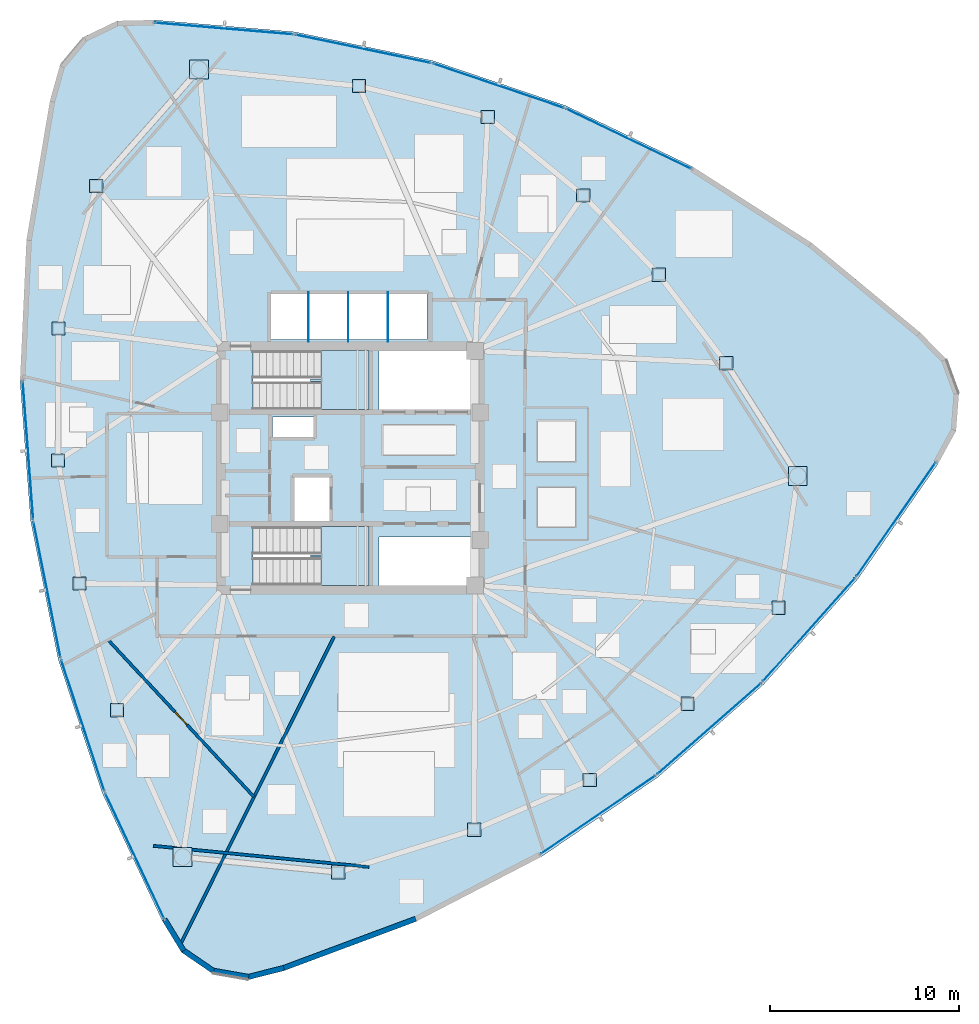
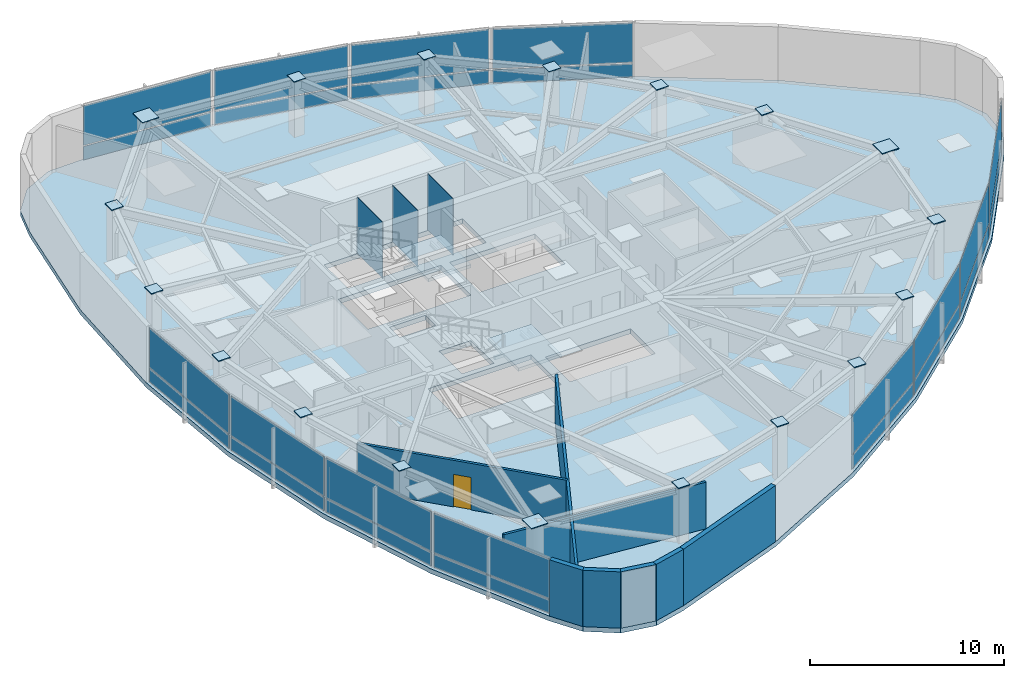
# One storey, part 10 of 17: 45 plates, 8 walls, 3 slabs, 1 door, 1 opening, 14 elements without a shape of their own.
"""IFC4 building model written with IfcOpenShell, lengths in metres."""

from ifc_helpers import new_model, si_unit, direction, frame, frame_2d, origin, origin_2d, place, context, subcontext, project, spatial, polyline, rectangle, outline, extrude, source, transform, mapped, material, layer, layer_set, type_object, type_shapes, element, fill, aggregate, save


model = new_model("IFC4")

# Units and contexts
model_context = context("Model", 3, precision=1e-05, world=origin(), true_north=direction((0.0, 1.0)))
body_context = subcontext(model_context, "Body", "Model", "MODEL_VIEW")
ifc_project = project(units=[si_unit("LENGTHUNIT", "METRE"), si_unit("AREAUNIT", "SQUARE_METRE"), si_unit("VOLUMEUNIT", "CUBIC_METRE"), si_unit("PLANEANGLEUNIT", "RADIAN"), si_unit("MASSUNIT", "GRAM", prefix="KILO")], contexts=[model_context])

# Site, building, storey
site_placement = place(None, origin())
site = spatial("IfcSite", under=ifc_project, at=site_placement, CompositionType="ELEMENT")
building_placement = place(site_placement, origin())
building = spatial("IfcBuilding", under=site, at=building_placement, Name="Tavelor Broadcast Tower", CompositionType="ELEMENT")
storey_placement = place(building_placement, frame((0.0, 0.0, 192.60009765625)))
storey = spatial("IfcBuildingStorey", under=building, at=storey_placement, Name="L46", CompositionType="ELEMENT", Elevation=192.60009765625)

# Stair, slab
ifc_material_1 = material(Name="Concrete C40/50", Category="concrete")
stair_type = type_object("IfcStairType", Name="Reinforced Concrete Protected Dogleg Stair 1450 mm", PredefinedType="HALF_TURN_STAIR", material=ifc_material_1)
stair_1_placement = place(storey_placement, origin())
stair_1 = element("IfcStair", 1, at=stair_1_placement, inside=storey, type_object=stair_type, Name="L46 Protected Core Exit Stair ST1", PredefinedType="HALF_TURN_STAIR")
ifc_layer_1 = layer(ifc_material_1, 0.199951171875)
ifc_layer_set_1 = layer_set([ifc_layer_1], Name="Concrete C40/50")
slab_type_1 = type_object("IfcSlabType", Name="Reinforced Concrete Stair Half-Landing Slab 200 mm", PredefinedType="LANDING", material=ifc_layer_set_1)
slab_1_placement = place(storey_placement, frame((0.0, 0.0, 1.724853515625)))
slab_1 = element("IfcSlab", 2, at=slab_1_placement, type_object=slab_type_1, Name="ST1 landing 1", PredefinedType="LANDING", context=body_context, shape_type="SweptSolid", body=[
    extrude(outline(polyline([(48.445068359375, 49.590087890625), (48.445068359375, 48.094970703125), (51.0048828125, 48.094970703125), (51.0048828125, 51.205078125), (48.445068359375, 51.205078125), (48.445068359375, 49.7099609375), (47.905029296875, 49.7099609375), (47.905029296875, 49.590087890625), (48.445068359375, 49.590087890625)])), origin(), (0.0, 0.0, 1.0), 0.199951171875),
])
aggregate(stair_1, [slab_1])

stair_2_placement = place(storey_placement, origin())
stair_2 = element("IfcStair", 3, at=stair_2_placement, inside=storey, type_object=stair_type, Name="L46 Protected Core Exit Stair ST2", PredefinedType="HALF_TURN_STAIR")
slab_2_placement = place(storey_placement, frame((0.0, 0.0, 1.724853515625)))
slab_2 = element("IfcSlab", 4, at=slab_2_placement, type_object=slab_type_1, Name="ST2 landing 1", PredefinedType="LANDING", context=body_context, shape_type="SweptSolid", body=[
    extrude(outline(polyline([(48.445068359375, 40.2900390625), (48.445068359375, 38.794921875), (51.0048828125, 38.794921875), (51.0048828125, 41.905029296875), (48.445068359375, 41.905029296875), (48.445068359375, 40.409912109375), (47.905029296875, 40.409912109375), (47.905029296875, 40.2900390625), (48.445068359375, 40.2900390625)])), origin(), (0.0, 0.0, 1.0), 0.199951171875),
])
aggregate(stair_2, [slab_2])

# Slab
ifc_layer_2 = layer(ifc_material_1, 0.300048828125)
ifc_layer_set_2 = layer_set([ifc_layer_2], Name="Concrete C40/50")
slab_type_2 = type_object("IfcSlabType", Name="Tower Composite Floor Slab 300 mm", PredefinedType="FLOOR", material=ifc_layer_set_2)
slab_3_placement = place(storey_placement, frame((0.0, 0.0, -0.300048828125)))
element("IfcSlab", 5, at=slab_3_placement, inside=storey, type_object=slab_type_2, Name="L46 Structural Floor Slab", PredefinedType="FLOOR", context=body_context, shape_type="SweptSolid", body=[
    extrude(outline(polyline([(39.634521484375, 68.697509765625), (37.677001953125, 68.6513671875), (35.91162109375, 67.8037109375), (34.651611328125, 66.3046875), (34.1201171875, 64.419921875), (32.880126953125, 57.0703125), (32.53857421875, 49.62451171875), (33.1005859375, 42.19189453125), (34.55810546875, 34.882080078125), (36.889404296875, 27.802490234375), (40.06005859375, 21.056884765625), (41.078857421875, 19.384521484375), (42.695556640625, 18.27978515625), (44.623779296875, 17.93798828125), (46.521728515625, 18.419921875), (53.5068359375, 21.02099609375), (60.1259765625, 24.447998046875), (66.281494140625, 28.651123046875), (71.88330078125, 33.568115234375), (76.848876953125, 39.126953125), (81.105224609375, 45.24560546875), (82.044189453125, 46.964111328125), (82.192626953125, 48.916748046875), (81.5244140625, 50.75732421875), (80.158203125, 52.16015625), (74.4130859375, 56.908935546875), (68.135498046875, 60.927490234375), (61.417724609375, 64.156982421875), (54.358642578125, 66.5498046875), (47.06201171875, 68.07080078125), (39.634521484375, 68.697509765625)]), holes=[polyline([(56.60009765625, 41.35009765625), (56.60009765625, 38.800048828125), (51.52001953125, 38.800048828125), (51.52001953125, 41.35009765625), (56.60009765625, 41.35009765625)]), polyline([(50.99609375, 38.803955078125), (44.85400390625, 38.803955078125), (44.85400390625, 41.89599609375), (50.99609375, 41.89599609375), (50.99609375, 38.803955078125)]), polyline([(47.050048828125, 42.199951171875), (47.050048828125, 44.550048828125), (48.949951171875, 44.550048828125), (48.949951171875, 42.199951171875), (47.050048828125, 42.199951171875)]), polyline([(48.050048828125, 46.64990234375), (45.89990234375, 46.64990234375), (45.89990234375, 47.699951171875), (48.050048828125, 47.699951171875), (48.050048828125, 46.64990234375)]), polyline([(50.99609375, 48.10400390625), (44.85400390625, 48.10400390625), (44.85400390625, 51.196044921875), (50.99609375, 51.196044921875), (50.99609375, 48.10400390625)]), polyline([(56.60009765625, 48.10009765625), (51.52001953125, 48.10009765625), (51.52001953125, 51.199951171875), (56.60009765625, 51.199951171875), (56.60009765625, 48.10009765625)]), polyline([(54.050048828125, 51.800048828125), (45.800048828125, 51.800048828125), (45.800048828125, 54.25), (54.050048828125, 54.25), (54.050048828125, 51.800048828125)])]), origin(), (0.0, 0.0, 1.0), 0.300048828125),
])

# Plates
ifc_material_2 = material(Name="Steel S460", Category="steel")
ifc_layer_3 = layer(ifc_material_2, 0.050048828125)
ifc_layer_set_3 = layer_set([ifc_layer_3], Name="Steel S460")
plate_type_1 = type_object("IfcPlateType", Name="Tube Hollow-End Cap Plate KN05 700x700x50", PredefinedType="USERDEFINED", material=ifc_layer_set_3)
shared_shape_1 = source(origin(), body_context, "Body", "SweptSolid", [
    extrude(rectangle(XDim=0.699951171875, YDim=0.699951171875, at=origin_2d()), origin(), (0.0, 0.0, 1.0), 0.054931640625),
])
for number, where, z_axis, x_axis, name in (
    (6, (36.567626953125, 59.91064453125, 3.5224609375), (0.0, 0.0, 1.0), (1.0, 0.0, 0.0), "L46 Hollow End Cap Plate KN05 #1324"),
    (7, (34.5751953125, 52.37939453125, 3.5224609375), (0.0, 0.0, 1.0), (1.0, 0.0, 0.0), "L46 Hollow End Cap Plate KN05 #1325"),
    (8, (34.54638671875, 45.399169921875, 3.5224609375), (0.0, 0.0, 1.0), (1.0, 0.0, 0.0), "L46 Hollow End Cap Plate KN05 #1326"),
    (9, (35.680908203125, 38.89990234375, 3.5224609375), (0.0, 0.0, 1.0), (1.0, 0.0, 0.0), "L46 Hollow End Cap Plate KN05 #1327"),
    (10, (37.668212890625, 32.1904296875, 3.5224609375), (0.0, 0.0, 1.0), (1.0, 0.0, 0.0), "L46 Hollow End Cap Plate KN05 #1328"),
    (11, (49.366455078125, 23.618896484375, 3.5224609375), (0.0, 0.0, 1.0), (1.0, 0.0, 0.0), "L46 Hollow End Cap Plate KN05 #1330"),
    (12, (56.56103515625, 25.872802734375, 3.5224609375), (0.0, 0.0, 1.0), (1.0, 0.0, 0.0), "L46 Hollow End Cap Plate KN05 #1331"),
    (13, (62.669189453125, 28.503173828125, 3.5224609375), (0.0, 0.0, 1.0), (1.0, 0.0, 0.0), "L46 Hollow End Cap Plate KN05 #1332"),
    (14, (67.84228515625, 32.53173828125, 3.5224609375), (0.0, 0.0, 1.0), (1.0, 0.0, 0.0), "L46 Hollow End Cap Plate KN05 #1333"),
    (15, (72.6591796875, 37.607421875, 3.5224609375), (0.0, 0.0, 1.0), (1.0, 0.0, 0.0), "L46 Hollow End Cap Plate KN05 #1334"),
    (16, (69.885986328125, 50.544189453125, 3.5224609375), (0.0, 0.0, 1.0), (1.0, 0.0, 0.0), "L46 Hollow End Cap Plate KN05 #1336"),
    (17, (66.322021484375, 55.228759765625, 3.5224609375), (0.0, 0.0, 1.0), (1.0, 0.0, 0.0), "L46 Hollow End Cap Plate KN05 #1337"),
    (18, (62.330810546875, 59.416259765625, 3.5224609375), (0.0, 0.0, 1.0), (1.0, 0.0, 0.0), "L46 Hollow End Cap Plate KN05 #1338"),
    (19, (57.276611328125, 63.568359375, 3.5224609375), (0.0, 0.0, 1.0), (1.0, 0.0, 0.0), "L46 Hollow End Cap Plate KN05 #1339"),
    (20, (50.472412109375, 65.2021484375, 3.5224609375), (0.0, 0.0, 1.0), (1.0, 0.0, 0.0), "L46 Hollow End Cap Plate KN05 #1340"),
):
    element("IfcPlate", number, at=place(storey_placement, frame(where, z_axis=z_axis, x_axis=x_axis)), inside=storey, type_object=plate_type_1, Name=name, ObjectType="CAP PLATE", PredefinedType="USERDEFINED", context=body_context, shape_type="MappedRepresentation", body=[
        mapped(shared_shape_1, transform((0.0, 0.0, 0.0), scale=1.0)),
    ])
shared_shape_2 = source(origin(), body_context, "Body", "SweptSolid", [
    extrude(rectangle(XDim=0.993896484375, YDim=0.993896484375, at=origin_2d()), origin(), (0.0, 0.0, 1.0), 0.054931640625),
])
type_shapes(plate_type_1, [shared_shape_1, shared_shape_2])
for number, where, z_axis, x_axis, name in (
    (21, (42.01123046875, 66.080078125, 3.5224609375), (0.0, 0.0, 1.0), (1.0, 0.0, 0.0), "L46 Hollow End Cap Plate KN05 #1323"),
    (22, (41.138671875, 24.423828125, 3.5224609375), (0.0, 0.0, 1.0), (1.0, 0.0, 0.0), "L46 Hollow End Cap Plate KN05 #1329"),
    (23, (73.676025390625, 44.57958984375, 3.5224609375), (0.0, 0.0, 1.0), (1.0, 0.0, 0.0), "L46 Hollow End Cap Plate KN05 #1335"),
):
    element("IfcPlate", number, at=place(storey_placement, frame(where, z_axis=z_axis, x_axis=x_axis)), inside=storey, type_object=plate_type_1, Name=name, ObjectType="CAP PLATE", PredefinedType="USERDEFINED", context=body_context, shape_type="MappedRepresentation", body=[
        mapped(shared_shape_2, transform((0.0, 0.0, 0.0), scale=1.0)),
    ])
ifc_material_3 = material(Name="Steel S355", Category="steel")
ifc_layer_4 = layer(ifc_material_3, 0.011962890625)
ifc_layer_set_4 = layer_set([ifc_layer_4], Name="Steel S355")
plate_type_2 = type_object("IfcPlateType", Name="Hoistway Steel Separator Screen 12 mm", PredefinedType="SHEET", material=ifc_layer_set_4)
shared_shape_3 = source(origin(), body_context, "Body", "SweptSolid", [
    extrude(rectangle(XDim=0.02001953125, YDim=2.6201171875, at=origin_2d()), origin(), (0.0, 0.0, 1.0), 3.550048828125),
])
type_shapes(plate_type_2, [shared_shape_3])
for number, where, z_axis, x_axis, name in (
    (24, (47.800048828125, 52.989990234375, 0.0), (0.0, 0.0, 1.0), (1.0, 0.0, 0.0), "L46 High-Rise Hoistway Separator Screen 1"),
    (25, (49.89990234375, 52.989990234375, 0.0), (0.0, 0.0, 1.0), (1.0, 0.0, 0.0), "L46 High-Rise Hoistway Separator Screen 2"),
    (26, (52.0, 52.989990234375, 0.0), (0.0, 0.0, 1.0), (1.0, 0.0, 0.0), "L46 High-Rise Hoistway Separator Screen 3"),
):
    element("IfcPlate", number, at=place(storey_placement, frame(where, z_axis=z_axis, x_axis=x_axis)), inside=storey, type_object=plate_type_2, Name=name, PredefinedType="SHEET", context=body_context, shape_type="MappedRepresentation", body=[
        mapped(shared_shape_3, transform((0.0, 0.0, 0.0), scale=1.0)),
    ])

# Curtain wall, plate
ifc_material_4 = material(Name="Architectural Anodized Aluminium", Category="aluminium")
ifc_layer_5 = layer(ifc_material_4, 0.18994140625)
ifc_layer_set_5 = layer_set([ifc_layer_5], Name="Architectural Anodized Aluminium")
curtain_wall_type = type_object("IfcCurtainWallType", Name="Tower Mid-Zone Acoustic Curtain Wall CW03", PredefinedType="NOTDEFINED", material=ifc_layer_set_5)
curtain_wall_1_placement = place(storey_placement, origin())
curtain_wall_1 = element("IfcCurtainWall", 27, at=curtain_wall_1_placement, inside=storey, type_object=curtain_wall_type, Name="L46 Curtain Wall CW03 Run 493", PredefinedType="NOTDEFINED")
ifc_material_5 = material(Name="Solar Control Double Glazing 30 mm", Category="glass")
ifc_layer_6 = layer(ifc_material_5, 0.030029296875)
ifc_layer_set_6 = layer_set([ifc_layer_6], Name="Solar Control Double Glazing 30 mm")
plate_type_3 = type_object("IfcPlateType", Name="CW03 Insulated Vision Glazing Panel 30 mm", PredefinedType="CURTAIN_PANEL", material=ifc_layer_set_6)
shared_shape_4 = source(origin(), body_context, "Body", "SweptSolid", [
    extrude(rectangle(XDim=7.28564453125, YDim=0.030029296875, at=origin_2d()), origin(), (0.0, 0.0, 1.0), 0.847900390625),
])
plate_1_placement = place(storey_placement, frame((32.958740234375, 45.92626953125, 0.06787109375), z_axis=(0.0, 0.0, 1.0), x_axis=(0.075413637152, -0.997152337074, 0.0)))
plate_1 = element("IfcPlate", 28, at=plate_1_placement, type_object=plate_type_3, Name="CW03 panel 1.1", PredefinedType="CURTAIN_PANEL", context=body_context, shape_type="MappedRepresentation", body=[
    mapped(shared_shape_4, transform((0.0, 0.0, 0.0), scale=1.0)),
])

curtain_wall_2_placement = place(storey_placement, origin())
curtain_wall_2 = element("IfcCurtainWall", 29, at=curtain_wall_2_placement, inside=storey, type_object=curtain_wall_type, Name="L46 Curtain Wall CW03 Run 497", PredefinedType="NOTDEFINED")
plate_2_placement = place(storey_placement, frame((63.11865234375, 26.660888671875, 0.06787109375), z_axis=(0.0, 0.0, 1.0), x_axis=(0.825846589171, 0.563894858245, 0.0)))
plate_2 = element("IfcPlate", 30, at=plate_2_placement, type_object=plate_type_3, Name="CW03 panel 1.1", PredefinedType="CURTAIN_PANEL", context=body_context, shape_type="MappedRepresentation", body=[
    mapped(shared_shape_4, transform((0.0, 0.0, 0.0), scale=1.0)),
])

curtain_wall_3_placement = place(storey_placement, origin())
curtain_wall_3 = element("IfcCurtainWall", 31, at=curtain_wall_3_placement, inside=storey, type_object=curtain_wall_type, Name="L46 Curtain Wall CW03 Run 501", PredefinedType="NOTDEFINED")
plate_3_placement = place(storey_placement, frame((64.72265625, 62.412841796875, 0.06787109375), z_axis=(0.0, 0.0, 1.0), x_axis=(-0.90126911976, 0.433259707065, 0.0)))
plate_3 = element("IfcPlate", 32, at=plate_3_placement, type_object=plate_type_3, Name="CW03 panel 1.1", PredefinedType="CURTAIN_PANEL", context=body_context, shape_type="MappedRepresentation", body=[
    mapped(shared_shape_4, transform((0.0, 0.0, 0.0), scale=1.0)),
])

# Plate
shared_shape_5 = source(origin(), body_context, "Body", "SweptSolid", [
    extrude(rectangle(XDim=7.28564453125, YDim=0.030029296875, at=origin_2d()), origin(), (0.0, 0.0, 1.0), 2.498046875),
])
plate_4_placement = place(storey_placement, frame((32.958740234375, 45.92626953125, 0.98388671875), z_axis=(0.0, 0.0, 1.0), x_axis=(0.075413637152, -0.997152337074, 0.0)))
plate_4 = element("IfcPlate", 33, at=plate_4_placement, type_object=plate_type_3, Name="CW03 panel 1.2", PredefinedType="CURTAIN_PANEL", context=body_context, shape_type="MappedRepresentation", body=[
    mapped(shared_shape_5, transform((0.0, 0.0, 0.0), scale=1.0)),
])

aggregate(curtain_wall_1, [plate_1, plate_4])

plate_5_placement = place(storey_placement, frame((63.11865234375, 26.660888671875, 0.98388671875), z_axis=(0.0, 0.0, 1.0), x_axis=(0.825846589171, 0.563894858245, 0.0)))
plate_5 = element("IfcPlate", 34, at=plate_5_placement, type_object=plate_type_3, Name="CW03 panel 1.2", PredefinedType="CURTAIN_PANEL", context=body_context, shape_type="MappedRepresentation", body=[
    mapped(shared_shape_5, transform((0.0, 0.0, 0.0), scale=1.0)),
])

aggregate(curtain_wall_2, [plate_2, plate_5])

plate_6_placement = place(storey_placement, frame((64.72265625, 62.412841796875, 0.98388671875), z_axis=(0.0, 0.0, 1.0), x_axis=(-0.90126911976, 0.433259707065, 0.0)))
plate_6 = element("IfcPlate", 35, at=plate_6_placement, type_object=plate_type_3, Name="CW03 panel 1.2", PredefinedType="CURTAIN_PANEL", context=body_context, shape_type="MappedRepresentation", body=[
    mapped(shared_shape_5, transform((0.0, 0.0, 0.0), scale=1.0)),
])

aggregate(curtain_wall_3, [plate_3, plate_6])

# Curtain wall, plate
curtain_wall_4_placement = place(storey_placement, origin())
curtain_wall_4 = element("IfcCurtainWall", 36, at=curtain_wall_4_placement, inside=storey, type_object=curtain_wall_type, Name="L46 Curtain Wall CW03 Run 494", PredefinedType="NOTDEFINED")
shared_shape_6 = source(origin(), body_context, "Body", "SweptSolid", [
    extrude(rectangle(XDim=7.2705078125, YDim=0.030029296875, at=origin_2d()), origin(), (0.0, 0.0, 1.0), 0.847900390625),
])
plate_7_placement = place(storey_placement, frame((33.966796875, 38.564453125, 0.06787109375), z_axis=(0.0, 0.0, 1.0), x_axis=(0.195529302328, -0.980697859655, 0.0)))
plate_7 = element("IfcPlate", 37, at=plate_7_placement, type_object=plate_type_3, Name="CW03 panel 1.1", PredefinedType="CURTAIN_PANEL", context=body_context, shape_type="MappedRepresentation", body=[
    mapped(shared_shape_6, transform((0.0, 0.0, 0.0), scale=1.0)),
])

curtain_wall_5_placement = place(storey_placement, origin())
curtain_wall_5 = element("IfcCurtainWall", 38, at=curtain_wall_5_placement, inside=storey, type_object=curtain_wall_type, Name="L46 Curtain Wall CW03 Run 502", PredefinedType="NOTDEFINED")
plate_8_placement = place(storey_placement, frame((57.84326171875, 65.220703125, 0.06787109375), z_axis=(0.0, 0.0, 1.0), x_axis=(-0.947071236716, 0.321023476688, 0.0)))
plate_8 = element("IfcPlate", 39, at=plate_8_placement, type_object=plate_type_3, Name="CW03 panel 1.1", PredefinedType="CURTAIN_PANEL", context=body_context, shape_type="MappedRepresentation", body=[
    mapped(shared_shape_6, transform((0.0, 0.0, 0.0), scale=1.0)),
])

# Plate
shared_shape_7 = source(origin(), body_context, "Body", "SweptSolid", [
    extrude(rectangle(XDim=7.2705078125, YDim=0.030029296875, at=origin_2d()), origin(), (0.0, 0.0, 1.0), 2.498046875),
])
plate_9_placement = place(storey_placement, frame((33.966796875, 38.564453125, 0.98388671875), z_axis=(0.0, 0.0, 1.0), x_axis=(0.195529302328, -0.980697859655, 0.0)))
plate_9 = element("IfcPlate", 40, at=plate_9_placement, type_object=plate_type_3, Name="CW03 panel 1.2", PredefinedType="CURTAIN_PANEL", context=body_context, shape_type="MappedRepresentation", body=[
    mapped(shared_shape_7, transform((0.0, 0.0, 0.0), scale=1.0)),
])

aggregate(curtain_wall_4, [plate_7, plate_9])

plate_10_placement = place(storey_placement, frame((57.84326171875, 65.220703125, 0.98388671875), z_axis=(0.0, 0.0, 1.0), x_axis=(-0.947071236716, 0.321023476688, 0.0)))
plate_10 = element("IfcPlate", 41, at=plate_10_placement, type_object=plate_type_3, Name="CW03 panel 1.2", PredefinedType="CURTAIN_PANEL", context=body_context, shape_type="MappedRepresentation", body=[
    mapped(shared_shape_7, transform((0.0, 0.0, 0.0), scale=1.0)),
])

aggregate(curtain_wall_5, [plate_8, plate_10])

# Curtain wall, plate
curtain_wall_6_placement = place(storey_placement, origin())
curtain_wall_6 = element("IfcCurtainWall", 42, at=curtain_wall_6_placement, inside=storey, type_object=curtain_wall_type, Name="L46 Curtain Wall CW03 Run 495", PredefinedType="NOTDEFINED")
shared_shape_8 = source(origin(), body_context, "Body", "SweptSolid", [
    extrude(rectangle(XDim=7.270751953125, YDim=0.030029296875, at=origin_2d()), origin(), (0.0, 0.0, 1.0), 0.847900390625),
])
plate_11_placement = place(storey_placement, frame((35.856689453125, 31.38623046875, 0.06787109375), z_axis=(0.0, 0.0, 1.0), x_axis=(0.312758510355, -0.949832676949, 0.0)))
plate_11 = element("IfcPlate", 43, at=plate_11_placement, type_object=plate_type_3, Name="CW03 panel 1.1", PredefinedType="CURTAIN_PANEL", context=body_context, shape_type="MappedRepresentation", body=[
    mapped(shared_shape_8, transform((0.0, 0.0, 0.0), scale=1.0)),
])

curtain_wall_7_placement = place(storey_placement, origin())
curtain_wall_7 = element("IfcCurtainWall", 44, at=curtain_wall_7_placement, inside=storey, type_object=curtain_wall_type, Name="L46 Curtain Wall CW03 Run 498", PredefinedType="NOTDEFINED")
plate_12_placement = place(storey_placement, frame((68.989990234375, 31.21484375, 0.06787109375), z_axis=(0.0, 0.0, 1.0), x_axis=(0.751551236389, 0.659674722179, 0.0)))
plate_12 = element("IfcPlate", 45, at=plate_12_placement, type_object=plate_type_3, Name="CW03 panel 1.1", PredefinedType="CURTAIN_PANEL", context=body_context, shape_type="MappedRepresentation", body=[
    mapped(shared_shape_8, transform((0.0, 0.0, 0.0), scale=1.0)),
])

curtain_wall_8_placement = place(storey_placement, origin())
curtain_wall_8 = element("IfcCurtainWall", 46, at=curtain_wall_8_placement, inside=storey, type_object=curtain_wall_type, Name="L46 Curtain Wall CW03 Run 499", PredefinedType="NOTDEFINED")
plate_13_placement = place(storey_placement, frame((74.26171875, 36.440673828125, 0.06787109375), z_axis=(0.0, 0.0, 1.0), x_axis=(0.666197926868, 0.745774980967, 0.0)))
plate_13 = element("IfcPlate", 47, at=plate_13_placement, type_object=plate_type_3, Name="CW03 panel 1.1", PredefinedType="CURTAIN_PANEL", context=body_context, shape_type="MappedRepresentation", body=[
    mapped(shared_shape_8, transform((0.0, 0.0, 0.0), scale=1.0)),
])

curtain_wall_9_placement = place(storey_placement, origin())
curtain_wall_9 = element("IfcCurtainWall", 48, at=curtain_wall_9_placement, inside=storey, type_object=curtain_wall_type, Name="L46 Curtain Wall CW03 Run 503", PredefinedType="NOTDEFINED")
plate_14_placement = place(storey_placement, frame((50.681640625, 67.173095703125, 0.06787109375), z_axis=(0.0, 0.0, 1.0), x_axis=(-0.978958398466, 0.20405992765, 0.0)))
plate_14 = element("IfcPlate", 49, at=plate_14_placement, type_object=plate_type_3, Name="CW03 panel 1.1", PredefinedType="CURTAIN_PANEL", context=body_context, shape_type="MappedRepresentation", body=[
    mapped(shared_shape_8, transform((0.0, 0.0, 0.0), scale=1.0)),
])

# Plate
shared_shape_9 = source(origin(), body_context, "Body", "SweptSolid", [
    extrude(rectangle(XDim=7.270751953125, YDim=0.030029296875, at=origin_2d()), origin(), (0.0, 0.0, 1.0), 2.498046875),
])
plate_15_placement = place(storey_placement, frame((35.856689453125, 31.38623046875, 0.98388671875), z_axis=(0.0, 0.0, 1.0), x_axis=(0.312758510355, -0.949832676949, 0.0)))
plate_15 = element("IfcPlate", 50, at=plate_15_placement, type_object=plate_type_3, Name="CW03 panel 1.2", PredefinedType="CURTAIN_PANEL", context=body_context, shape_type="MappedRepresentation", body=[
    mapped(shared_shape_9, transform((0.0, 0.0, 0.0), scale=1.0)),
])

aggregate(curtain_wall_6, [plate_11, plate_15])

plate_16_placement = place(storey_placement, frame((68.989990234375, 31.21484375, 0.98388671875), z_axis=(0.0, 0.0, 1.0), x_axis=(0.751551236389, 0.659674722179, 0.0)))
plate_16 = element("IfcPlate", 51, at=plate_16_placement, type_object=plate_type_3, Name="CW03 panel 1.2", PredefinedType="CURTAIN_PANEL", context=body_context, shape_type="MappedRepresentation", body=[
    mapped(shared_shape_9, transform((0.0, 0.0, 0.0), scale=1.0)),
])

aggregate(curtain_wall_7, [plate_12, plate_16])

plate_17_placement = place(storey_placement, frame((74.26171875, 36.440673828125, 0.98388671875), z_axis=(0.0, 0.0, 1.0), x_axis=(0.666197926868, 0.745774980967, 0.0)))
plate_17 = element("IfcPlate", 52, at=plate_17_placement, type_object=plate_type_3, Name="CW03 panel 1.2", PredefinedType="CURTAIN_PANEL", context=body_context, shape_type="MappedRepresentation", body=[
    mapped(shared_shape_9, transform((0.0, 0.0, 0.0), scale=1.0)),
])

aggregate(curtain_wall_8, [plate_13, plate_17])

plate_18_placement = place(storey_placement, frame((50.681640625, 67.173095703125, 0.98388671875), z_axis=(0.0, 0.0, 1.0), x_axis=(-0.978958398466, 0.20405992765, 0.0)))
plate_18 = element("IfcPlate", 53, at=plate_18_placement, type_object=plate_type_3, Name="CW03 panel 1.2", PredefinedType="CURTAIN_PANEL", context=body_context, shape_type="MappedRepresentation", body=[
    mapped(shared_shape_9, transform((0.0, 0.0, 0.0), scale=1.0)),
])

aggregate(curtain_wall_9, [plate_14, plate_18])

# Curtain wall, plate
curtain_wall_10_placement = place(storey_placement, origin())
curtain_wall_10 = element("IfcCurtainWall", 54, at=curtain_wall_10_placement, inside=storey, type_object=curtain_wall_type, Name="L46 Curtain Wall CW03 Run 496", PredefinedType="NOTDEFINED")
shared_shape_10 = source(origin(), body_context, "Body", "SweptSolid", [
    extrude(rectangle(XDim=7.28662109375, YDim=0.030029296875, at=origin_2d()), origin(), (0.0, 0.0, 1.0), 0.847900390625),
])
plate_19_placement = place(storey_placement, frame((38.604736328125, 24.48193359375, 0.06787109375), z_axis=(0.0, 0.0, 1.0), x_axis=(0.425402519722, -0.905004252042, 0.0)))
plate_19 = element("IfcPlate", 55, at=plate_19_placement, type_object=plate_type_3, Name="CW03 panel 1.1", PredefinedType="CURTAIN_PANEL", context=body_context, shape_type="MappedRepresentation", body=[
    mapped(shared_shape_10, transform((0.0, 0.0, 0.0), scale=1.0)),
])

curtain_wall_11_placement = place(storey_placement, origin())
curtain_wall_11 = element("IfcCurtainWall", 56, at=curtain_wall_11_placement, inside=storey, type_object=curtain_wall_type, Name="L46 Curtain Wall CW03 Run 500", PredefinedType="NOTDEFINED")
plate_20_placement = place(storey_placement, frame((78.86669921875, 42.272705078125, 0.06787109375), z_axis=(0.0, 0.0, 1.0), x_axis=(0.571060146085, 0.820908222369, 0.0)))
plate_20 = element("IfcPlate", 57, at=plate_20_placement, type_object=plate_type_3, Name="CW03 panel 1.1", PredefinedType="CURTAIN_PANEL", context=body_context, shape_type="MappedRepresentation", body=[
    mapped(shared_shape_10, transform((0.0, 0.0, 0.0), scale=1.0)),
])

curtain_wall_12_placement = place(storey_placement, origin())
curtain_wall_12 = element("IfcCurtainWall", 58, at=curtain_wall_12_placement, inside=storey, type_object=curtain_wall_type, Name="L46 Curtain Wall CW03 Run 504", PredefinedType="NOTDEFINED")
plate_21_placement = place(storey_placement, frame((43.32861328125, 68.245361328125, 0.06787109375), z_axis=(0.0, 0.0, 1.0), x_axis=(-0.996458903695, 0.084081230052, 0.0)))
plate_21 = element("IfcPlate", 59, at=plate_21_placement, type_object=plate_type_3, Name="CW03 panel 1.1", PredefinedType="CURTAIN_PANEL", context=body_context, shape_type="MappedRepresentation", body=[
    mapped(shared_shape_10, transform((0.0, 0.0, 0.0), scale=1.0)),
])

# Plate
shared_shape_11 = source(origin(), body_context, "Body", "SweptSolid", [
    extrude(rectangle(XDim=7.28662109375, YDim=0.030029296875, at=origin_2d()), origin(), (0.0, 0.0, 1.0), 2.498046875),
])
type_shapes(plate_type_3, [shared_shape_4, shared_shape_5, shared_shape_6, shared_shape_7, shared_shape_8, shared_shape_9, shared_shape_10, shared_shape_11])
plate_22_placement = place(storey_placement, frame((38.604736328125, 24.48193359375, 0.98388671875), z_axis=(0.0, 0.0, 1.0), x_axis=(0.425402519722, -0.905004252042, 0.0)))
plate_22 = element("IfcPlate", 60, at=plate_22_placement, type_object=plate_type_3, Name="CW03 panel 1.2", PredefinedType="CURTAIN_PANEL", context=body_context, shape_type="MappedRepresentation", body=[
    mapped(shared_shape_11, transform((0.0, 0.0, 0.0), scale=1.0)),
])

aggregate(curtain_wall_10, [plate_19, plate_22])

plate_23_placement = place(storey_placement, frame((78.86669921875, 42.272705078125, 0.98388671875), z_axis=(0.0, 0.0, 1.0), x_axis=(0.571060146085, 0.820908222369, 0.0)))
plate_23 = element("IfcPlate", 61, at=plate_23_placement, type_object=plate_type_3, Name="CW03 panel 1.2", PredefinedType="CURTAIN_PANEL", context=body_context, shape_type="MappedRepresentation", body=[
    mapped(shared_shape_11, transform((0.0, 0.0, 0.0), scale=1.0)),
])

aggregate(curtain_wall_11, [plate_20, plate_23])

plate_24_placement = place(storey_placement, frame((43.32861328125, 68.245361328125, 0.98388671875), z_axis=(0.0, 0.0, 1.0), x_axis=(-0.996458903695, 0.084081230052, 0.0)))
plate_24 = element("IfcPlate", 62, at=plate_24_placement, type_object=plate_type_3, Name="CW03 panel 1.2", PredefinedType="CURTAIN_PANEL", context=body_context, shape_type="MappedRepresentation", body=[
    mapped(shared_shape_11, transform((0.0, 0.0, 0.0), scale=1.0)),
])

aggregate(curtain_wall_12, [plate_21, plate_24])

# Walls
ifc_material_6 = material(Name="Precast Concrete C40/50", Category="concrete")
ifc_layer_7 = layer(ifc_material_6, 0.280029296875)
ifc_layer_set_7 = layer_set([ifc_layer_7], Name="Precast Concrete C40/50")
wall_type_1 = type_object("IfcWallType", Name="Insulated Precast Terracotta Facade Wall 280 mm", PredefinedType="STANDARD", material=ifc_layer_set_7)
wall_1_placement = place(storey_placement, frame((40.181396484375, 21.126708984375, 0.0), z_axis=(0.0, 0.0, 1.0), x_axis=(0.520370172675, -0.853940796185, 0.0)))
element("IfcWall", 63, at=wall_1_placement, inside=storey, type_object=wall_type_1, Name="L46 Rounded Corner Structural Cladding Pier 11", PredefinedType="STANDARD", context=body_context, shape_type="SweptSolid", body=[
    extrude(rectangle(XDim=1.939453125, YDim=0.280029296875, at=frame_2d((0.9697265625, 0.0))), origin(), (0.0, 0.0, 1.0), 3.5498046875),
])
for number, where, z_axis, x_axis, name in (
    (64, (41.17041015625, 19.49169921875, 0.0), (0.0, 0.0, 1.0), (0.825605315959, -0.564248050294, 0.0), "L46 Rounded Corner Structural Cladding Pier 12"),
    (65, (42.73486328125, 18.414794921875, 0.0), (0.0, 0.0, 1.0), (0.984658376192, -0.174493215328, 0.0), "L46 Rounded Corner Structural Cladding Pier 13"),
):
    element("IfcWall", number, at=place(storey_placement, frame(where, z_axis=z_axis, x_axis=x_axis)), inside=storey, type_object=wall_type_1, Name=name, PredefinedType="STANDARD", context=body_context, shape_type="SweptSolid", body=[
        extrude(rectangle(XDim=1.927978515625, YDim=0.280029296875, at=frame_2d((0.9638671875, 0.0))), origin(), (0.0, 0.0, 1.0), 3.5498046875),
    ])
wall_2_placement = place(storey_placement, frame((44.60400390625, 18.077392578125, 0.0), z_axis=(0.0, 0.0, 1.0), x_axis=(0.969222711209, 0.246185572437, 0.0)))
element("IfcWall", 66, at=wall_2_placement, inside=storey, type_object=wall_type_1, Name="L46 Rounded Corner Structural Cladding Pier 14", PredefinedType="STANDARD", context=body_context, shape_type="SweptSolid", body=[
    extrude(rectangle(XDim=1.95068359375, YDim=0.280029296875, at=frame_2d((0.975341796875, 0.0))), origin(), (0.0, 0.0, 1.0), 3.5498046875),
])
wall_3_placement = place(storey_placement, frame((46.466064453125, 18.548583984375, 0.0), z_axis=(0.0, 0.0, 1.0), x_axis=(0.937132856361, 0.348972791962, 0.0)))
element("IfcWall", 67, at=wall_3_placement, inside=storey, type_object=wall_type_1, Name="L46 Rounded Corner Structural Cladding Pier 15", PredefinedType="STANDARD", context=body_context, shape_type="SweptSolid", body=[
    extrude(rectangle(XDim=7.467529296875, YDim=0.280029296875, at=frame_2d((3.73388671875, 0.0))), origin(), (0.0, 0.0, 1.0), 3.5498046875),
])
ifc_material_7 = material(Name="Gypsum Acoustic Plasterboard 150 mm", Category="gypsum")
ifc_layer_8 = layer(ifc_material_7, 0.14990234375)
ifc_layer_set_8 = layer_set([ifc_layer_8], Name="Gypsum Acoustic Plasterboard 150 mm")
wall_type_2 = type_object("IfcWallType", Name="Interior Acoustic Partition Wall 150 mm", PredefinedType="PARTITIONING", material=ifc_layer_set_8)
wall_4_placement = place(storey_placement, frame((39.589111328125, 25.017578125, 0.0), z_axis=(0.0, 0.0, 1.0), x_axis=(0.99524905582, -0.097361783517, 0.0)))
element("IfcWall", 68, at=wall_4_placement, inside=storey, type_object=wall_type_2, Name="L46 Corner Tube Brace Furring Wall 2", PredefinedType="PARTITIONING", context=body_context, shape_type="SweptSolid", body=[
    extrude(rectangle(XDim=11.467041015625, YDim=0.14990234375, at=frame_2d((5.7333984375, 0.0))), origin(), (0.0, 0.0, 1.0), 2.934814453125),
])
wall_5_placement = place(storey_placement, frame((49.156005859375, 36.10009765625, 0.0), z_axis=(0.0, 0.0, 1.0), x_axis=(-0.446742855682, -0.894662406105, 0.0)))
element("IfcWall", 69, at=wall_5_placement, inside=storey, type_object=wall_type_2, Name="L46 Radial Compartment Wall 03", PredefinedType="PARTITIONING", context=body_context, shape_type="SweptSolid", body=[
    extrude(rectangle(XDim=18.25830078125, YDim=0.14990234375, at=frame_2d((9.129150390625, 0.0))), origin(), (0.0, 0.0, 1.0), 2.934814453125),
])

# Wall, opening, door
wall_6_placement = place(storey_placement, frame((37.197509765625, 35.909912109375, 0.0), z_axis=(0.0, 0.0, 1.0), x_axis=(0.680745946251, -0.73251959473, 0.0)))
wall_6 = element("IfcWall", 70, at=wall_6_placement, inside=storey, type_object=wall_type_2, Name="L46 Suite Chord Partition Wall 01", PredefinedType="PARTITIONING", context=body_context, shape_type="SweptSolid", body=[
    extrude(rectangle(XDim=11.336181640625, YDim=0.14990234375, at=frame_2d((5.66796875, 0.0))), origin(), (0.0, 0.0, 1.0), 2.934814453125),
])
opening_placement = place(wall_6_placement, frame((5.193115234375, 0.0, 0.0)))
opening = element("IfcOpeningElement", 71, at=opening_placement, cuts=wall_6, Name="Opening DR23", PredefinedType="OPENING", context=body_context, shape_type="SweptSolid", body=[
    extrude(rectangle(XDim=0.949951171875, YDim=2.050048828125, at=frame_2d((0.47509765625, 1.02490234375))), frame((0.0, 0.0849609375, 0.0), z_axis=(0.0, -1.0, 0.0), x_axis=(1.0, 0.0, 0.0)), (0.0, 0.0, 1.0), 0.169921875),
])
ifc_material_8 = material(Name="Timber Solid Core Hardwood", Category="wood")
door_type = type_object("IfcDoorType", Name="Editorial Room Acoustic Door 950x2050", OperationType="NOTDEFINED", PredefinedType="DOOR", material=ifc_material_8)
door_placement = place(opening_placement, origin())
door = element("IfcDoor", 72, at=door_placement, inside=storey, type_object=door_type, Name="L46 Outer Suite Partition Door 1", OperationType="SINGLE_SWING_RIGHT", OverallHeight=2.050048828125, OverallWidth=0.949951171875, PredefinedType="DOOR", context=body_context, shape_type="SweptSolid", body=[
    extrude(rectangle(XDim=0.949951171875, YDim=2.050048828125, at=frame_2d((0.47509765625, 1.02490234375))), frame((0.0, 0.02490234375, 0.0), z_axis=(0.0, -1.0, 0.0), x_axis=(1.0, 0.0, 0.0)), (0.0, 0.0, 1.0), 0.050048828125),
])
fill(opening, door)

save(model, "model.ifc")
